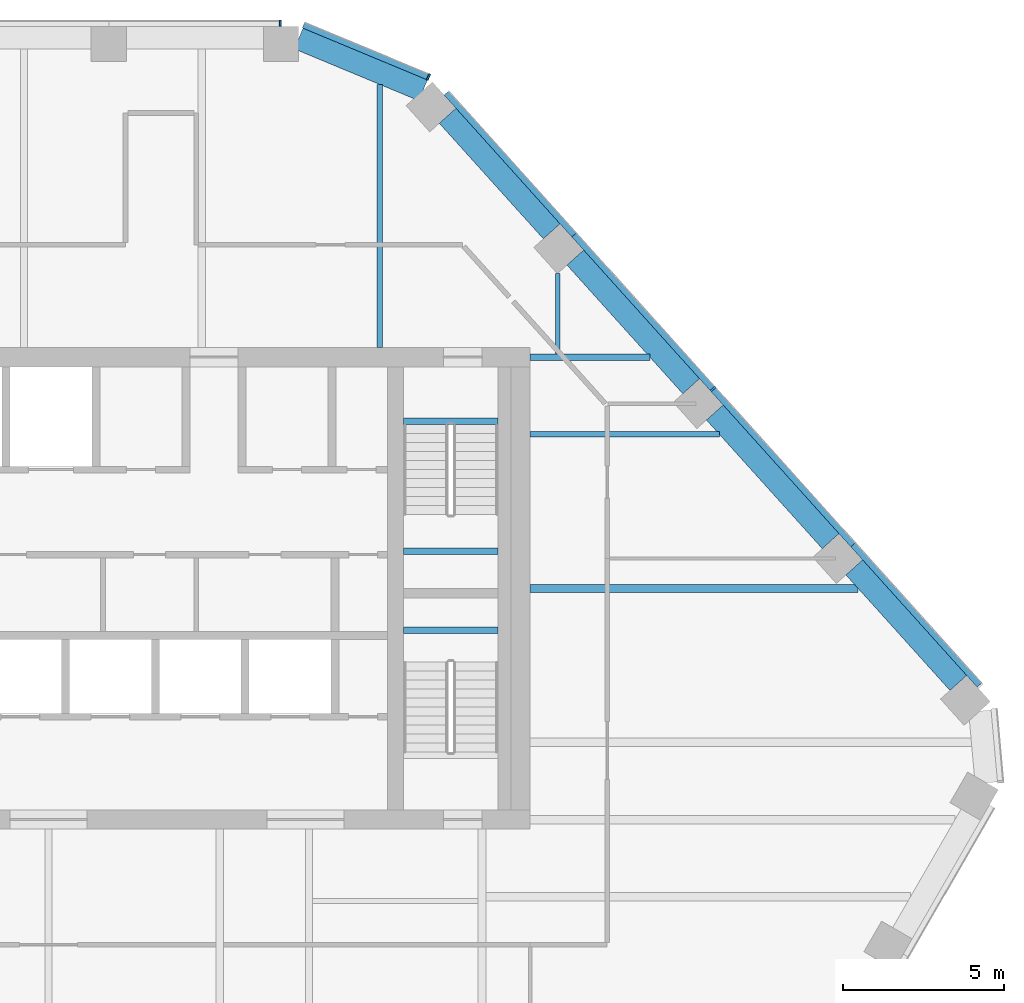
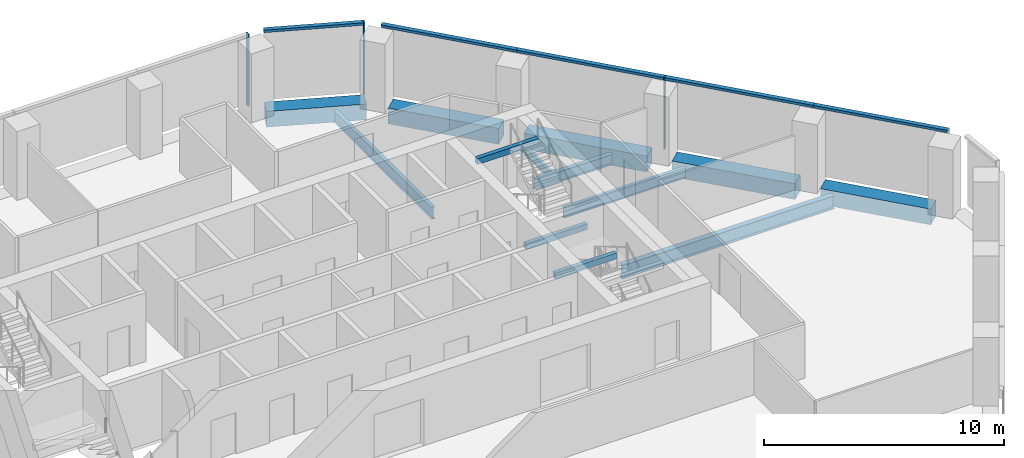
# One storey, part 7 of 15: 13 beams, 8 members, 3 elements without a shape of their own.
"""IFC4 building model written with IfcOpenShell, lengths in metres."""

from ifc_helpers import new_model, si_unit, direction, frame, origin, origin_2d, place, context, subcontext, project, spatial, rectangle, i_section, extrude, material, layer, layer_set, material_profile, profile_set, type_object, element, aggregate, save


model = new_model("IFC4")

# Units and contexts
model_context = context("Model", 3, precision=1e-05, world=origin(), true_north=direction((0.0, 1.0)))
body_context = subcontext(model_context, "Body", "Model", "MODEL_VIEW")
ifc_project = project(units=[si_unit("LENGTHUNIT", "METRE"), si_unit("AREAUNIT", "SQUARE_METRE"), si_unit("VOLUMEUNIT", "CUBIC_METRE"), si_unit("PLANEANGLEUNIT", "RADIAN"), si_unit("MASSUNIT", "GRAM", prefix="KILO")], contexts=[model_context])

# Site, building, storey
site_placement = place(None, origin())
site = spatial("IfcSite", under=ifc_project, at=site_placement, CompositionType="ELEMENT")
building_placement = place(site_placement, origin())
building = spatial("IfcBuilding", under=site, at=building_placement, Name="Isthmus Gate Tower", CompositionType="ELEMENT")
storey_placement = place(building_placement, frame((0.0, 0.0, 241.85009765625)))
storey = spatial("IfcBuildingStorey", under=building, at=storey_placement, Name="L61", CompositionType="ELEMENT", Elevation=241.85009765625)

# Curtain wall, member
ifc_material_1 = material(Name="Aluminium, pale champagne anodised", Category="aluminium")
ifc_layer = layer(ifc_material_1, 0.199951171875)
ifc_layer_set = layer_set([ifc_layer], Name="CW-1 UNITISED CURTAIN WALL 200 DEEP")
curtain_wall_type = type_object("IfcCurtainWallType", Name="CW-1 UNITISED CURTAIN WALL 200 DEEP", PredefinedType="NOTDEFINED", material=ifc_layer_set)
curtain_wall_1_placement = place(storey_placement, origin())
curtain_wall_1 = element("IfcCurtainWall", 1, at=curtain_wall_1_placement, inside=storey, type_object=curtain_wall_type, Name="CW-1 N L61", PredefinedType="NOTDEFINED")
ifc_material_2 = material(Name="Aluminium, pale champagne anodised", Category="aluminium")
ifc_material_profile_1 = material_profile(ifc_material_2, rectangle(XDim=0.06005859375, YDim=0.199951171875, at=origin_2d()), Name="60x200")
ifc_profile_set_1 = profile_set([ifc_material_profile_1], Name="Aluminium, pale champagne anodised")
member_type_1 = type_object("IfcMemberType", Name="CW-1 MULLION 60 X 200", PredefinedType="MULLION", material=ifc_profile_set_1)
member_1_placement = place(storey_placement, frame((7.211181640625, 25.10009765625, 0.0), z_axis=(0.0, 0.0, 1.0), x_axis=(-1.0, 0.0, 0.0)))
member_1 = element("IfcMember", 2, at=member_1_placement, type_object=member_type_1, Name="CW-1 mullion", PredefinedType="MULLION", context=body_context, shape_type="SweptSolid", body=[
    extrude(rectangle(XDim=0.06005859375, YDim=0.199951171875, at=origin_2d()), origin(), (0.0, 0.0, 1.0), 3.64990234375),
])
aggregate(curtain_wall_1, [member_1])

curtain_wall_2_placement = place(storey_placement, origin())
curtain_wall_2 = element("IfcCurtainWall", 3, at=curtain_wall_2_placement, inside=storey, type_object=curtain_wall_type, Name="CW-1 NE L61", PredefinedType="NOTDEFINED")
member_2_placement = place(storey_placement, frame((20.696533203125, 13.709228515625, 0.0), z_axis=(0.0, 0.0, 1.0), x_axis=(-0.669130606359, 0.743144825477, 0.0)))
member_2 = element("IfcMember", 4, at=member_2_placement, type_object=member_type_1, Name="CW-1 mullion", PredefinedType="MULLION", context=body_context, shape_type="SweptSolid", body=[
    extrude(rectangle(XDim=0.06005859375, YDim=0.199951171875, at=origin_2d()), origin(), (0.0, 0.0, 1.0), 3.64990234375),
])

curtain_wall_3_placement = place(storey_placement, origin())
curtain_wall_3 = element("IfcCurtainWall", 5, at=curtain_wall_3_placement, inside=storey, type_object=curtain_wall_type, Name="CW-1 NE-N L61", PredefinedType="NOTDEFINED")
member_3_placement = place(storey_placement, frame((11.83349609375, 23.427490234375, 0.0), z_axis=(0.0, 0.0, 1.0), x_axis=(-0.923353128387, 0.383951820282, 0.0)))
member_3 = element("IfcMember", 6, at=member_3_placement, type_object=member_type_1, Name="CW-1 mullion", PredefinedType="MULLION", context=body_context, shape_type="SweptSolid", body=[
    extrude(rectangle(XDim=0.06005859375, YDim=0.199951171875, at=origin_2d()), origin(), (0.0, 0.0, 1.0), 3.64990234375),
])

# Member
ifc_material_3 = material(Name="Aluminium, pale champagne anodised", Category="aluminium")
ifc_material_profile_2 = material_profile(ifc_material_3, rectangle(XDim=0.199951171875, YDim=0.1298828125, at=origin_2d()), Name="200x130")
ifc_profile_set_2 = profile_set([ifc_material_profile_2], Name="Aluminium, pale champagne anodised")
member_type_2 = type_object("IfcMemberType", Name="CW-1 TRANSOM 200 X 130", PredefinedType="USERDEFINED", material=ifc_profile_set_2)
member_4_placement = place(storey_placement, frame((28.99609375, 4.491455078125, 3.5849609375), z_axis=(-0.669134411332, 0.743141399447, 0.0), x_axis=(-0.743141399447, -0.669134411332, 0.0)))
member_4 = element("IfcMember", 7, at=member_4_placement, type_object=member_type_2, Name="CW-1 transom", ObjectType="TRANSOM", PredefinedType="USERDEFINED", context=body_context, shape_type="SweptSolid", body=[
    extrude(rectangle(XDim=0.199951171875, YDim=0.1298828125, at=origin_2d()), origin(), (0.0, 0.0, 1.0), 5.8818359375),
])

member_5_placement = place(storey_placement, frame((25.060302734375, 8.862548828125, 3.5849609375), z_axis=(-0.669112239491, 0.743161362668, 0.0), x_axis=(-0.743161362668, -0.669112239491, 0.0)))
member_5 = element("IfcMember", 8, at=member_5_placement, type_object=member_type_2, Name="CW-1 transom", ObjectType="TRANSOM", PredefinedType="USERDEFINED", context=body_context, shape_type="SweptSolid", body=[
    extrude(rectangle(XDim=0.199951171875, YDim=0.1298828125, at=origin_2d()), origin(), (0.0, 0.0, 1.0), 6.49169921875),
])

member_6_placement = place(storey_placement, frame((20.67626953125, 13.7314453125, 3.5849609375), z_axis=(-0.669128292476, 0.7431469089, 0.0), x_axis=(-0.7431469089, -0.669128292476, 0.0)))
member_6 = element("IfcMember", 9, at=member_6_placement, type_object=member_type_2, Name="CW-1 transom", ObjectType="TRANSOM", PredefinedType="USERDEFINED", context=body_context, shape_type="SweptSolid", body=[
    extrude(rectangle(XDim=0.199951171875, YDim=0.1298828125, at=origin_2d()), origin(), (0.0, 0.0, 1.0), 6.431884765625),
])

member_7_placement = place(storey_placement, frame((16.37255859375, 18.51123046875, 3.5849609375), z_axis=(-0.669116811031, 0.743157246615, 0.0), x_axis=(-0.743157246615, -0.669116811031, 0.0)))
member_7 = element("IfcMember", 10, at=member_7_placement, type_object=member_type_2, Name="CW-1 transom", ObjectType="TRANSOM", PredefinedType="USERDEFINED", context=body_context, shape_type="SweptSolid", body=[
    extrude(rectangle(XDim=0.199951171875, YDim=0.1298828125, at=origin_2d()), origin(), (0.0, 0.0, 1.0), 5.94189453125),
])

aggregate(curtain_wall_2, [member_4, member_5, member_2, member_6, member_7])

member_8_placement = place(storey_placement, frame((11.8056640625, 23.43896484375, 3.5849609375), z_axis=(-0.923358236369, 0.383939536033, 0.0), x_axis=(-0.383939536033, -0.923358236369, 0.0)))
member_8 = element("IfcMember", 11, at=member_8_placement, type_object=member_type_2, Name="CW-1 transom", ObjectType="TRANSOM", PredefinedType="USERDEFINED", context=body_context, shape_type="SweptSolid", body=[
    extrude(rectangle(XDim=0.199951171875, YDim=0.1298828125, at=origin_2d()), origin(), (0.0, 0.0, 1.0), 4.181640625),
])

aggregate(curtain_wall_3, [member_3, member_8])

# Beams
ifc_material_4 = material(Name="Concrete f'c 50 MPa", Category="concrete")
ifc_material_profile_3 = material_profile(ifc_material_4, rectangle(XDim=0.699951171875, YDim=0.800048828125, at=origin_2d()), Name="RC 700X800")
ifc_profile_set_3 = profile_set([ifc_material_profile_3], Name="Concrete f'c 50 MPa")
beam_type_1 = type_object("IfcBeamType", Name="RC SPANDREL 700 X 800", PredefinedType="SPANDREL", material=ifc_profile_set_3)
beam_1_placement = place(storey_placement, frame((7.791015625, 24.620849609375, -0.400146484375), z_axis=(0.923360646135, -0.383933740597, 0.0), x_axis=(0.383933740597, 0.923360646135, 0.0)))
element("IfcBeam", 12, at=beam_1_placement, inside=storey, type_object=beam_type_1, Name="str-spandrel-L61-00", PredefinedType="SPANDREL", context=body_context, shape_type="SweptSolid", body=[
    extrude(rectangle(XDim=0.699951171875, YDim=0.800048828125, at=origin_2d()), origin(), (0.0, 0.0, 1.0), 4.19677734375),
])
beam_2_placement = place(storey_placement, frame((12.43017578125, 22.21728515625, -0.400146484375), z_axis=(0.669129069044, -0.743146209679, 0.0), x_axis=(0.743146209679, 0.669129069044, 0.0)))
element("IfcBeam", 13, at=beam_2_placement, inside=storey, type_object=beam_type_1, Name="str-spandrel-L61-01", PredefinedType="SPANDREL", context=body_context, shape_type="SweptSolid", body=[
    extrude(rectangle(XDim=0.699951171875, YDim=0.800048828125, at=origin_2d()), origin(), (0.0, 0.0, 1.0), 4.842041015625),
])
beam_3_placement = place(storey_placement, frame((16.40625, 17.801513671875, -0.400146484375), z_axis=(0.669122314994, -0.743152290972, 0.0), x_axis=(0.743152290972, 0.669122314994, 0.0)))
element("IfcBeam", 14, at=beam_3_placement, inside=storey, type_object=beam_type_1, Name="str-spandrel-L61-02", PredefinedType="SPANDREL", context=body_context, shape_type="SweptSolid", body=[
    extrude(rectangle(XDim=0.699951171875, YDim=0.800048828125, at=origin_2d()), origin(), (0.0, 0.0, 1.0), 5.39208984375),
])
beam_4_placement = place(storey_placement, frame((20.75, 12.97705078125, -0.400146484375), z_axis=(0.669144830508, -0.743132017749, 0.0), x_axis=(0.743132017749, 0.669144830508, 0.0)))
element("IfcBeam", 15, at=beam_4_placement, inside=storey, type_object=beam_type_1, Name="str-spandrel-L61-03", PredefinedType="SPANDREL", context=body_context, shape_type="SweptSolid", body=[
    extrude(rectangle(XDim=0.699951171875, YDim=0.800048828125, at=origin_2d()), origin(), (0.0, 0.0, 1.0), 5.391845703125),
])
beam_5_placement = place(storey_placement, frame((25.093994140625, 8.152587890625, -0.400146484375), z_axis=(0.669154141686, -0.743123633499, 0.0), x_axis=(0.743123633499, 0.669154141686, 0.0)))
element("IfcBeam", 16, at=beam_5_placement, inside=storey, type_object=beam_type_1, Name="str-spandrel-L61-04", PredefinedType="SPANDREL", context=body_context, shape_type="SweptSolid", body=[
    extrude(rectangle(XDim=0.699951171875, YDim=0.800048828125, at=origin_2d()), origin(), (0.0, 0.0, 1.0), 4.842041015625),
])
ifc_material_5 = material(Name="Concrete f'c 40 MPa", Category="concrete")
ifc_material_profile_4 = material_profile(ifc_material_5, rectangle(XDim=0.199951171875, YDim=0.300048828125, at=origin_2d()), Name="STAIR LANDING BEAM RC 200 X 300")
ifc_profile_set_4 = profile_set([ifc_material_profile_4], Name="Concrete f'c 40 MPa")
beam_type_2 = type_object("IfcBeamType", Name="STAIR LANDING BEAM RC 200 X 300", PredefinedType="BEAM", material=ifc_profile_set_4)
for number, where, z_axis, x_axis, name in (
    (17, (11.050048828125, 8.64990234375, 1.474853515625), (1.0, 0.0, 0.0), (0.0, 1.0, 0.0), "L61 ST2 landing beam 1"),
    (18, (11.050048828125, 12.7001953125, 3.349853515625), (1.0, 0.0, 0.0), (0.0, 1.0, 0.0), "L61 ST2 floor-edge seat beam"),
    (19, (11.050048828125, 6.199951171875, 1.474853515625), (1.0, 0.0, 0.0), (0.0, 1.0, 0.0), "L61 ST8 landing beam 1"),
):
    element("IfcBeam", number, at=place(storey_placement, frame(where, z_axis=z_axis, x_axis=x_axis)), inside=storey, type_object=beam_type_2, Name=name, PredefinedType="BEAM", context=body_context, shape_type="SweptSolid", body=[
        extrude(rectangle(XDim=0.199951171875, YDim=0.300048828125, at=origin_2d()), origin(), (0.0, 0.0, 1.0), 2.949951171875),
    ])
ifc_material_6 = material(Name="Structural steel ASTM A992 Gr 50", Category="steel")
ifc_material_profile_5 = material_profile(ifc_material_6, i_section(OverallWidth=0.1396484375, OverallDepth=0.4033203125, WebThickness=0.00634765625, FlangeThickness=0.010986328125, at=origin_2d()), Name="W16X31")
ifc_profile_set_5 = profile_set([ifc_material_profile_5], Name="Structural steel ASTM A992 Gr 50")
beam_type_3 = type_object("IfcBeamType", Name="STEEL FLOOR BEAM W16X31", PredefinedType="JOIST", material=ifc_profile_set_5)
beam_6_placement = place(storey_placement, frame((15.862060546875, 14.8046875, -0.351806640625), z_axis=(0.0, 1.0, 0.0), x_axis=(-1.0, 0.0, 0.0)))
element("IfcBeam", 20, at=beam_6_placement, inside=storey, type_object=beam_type_3, Name="str-beam-L61-05-06", PredefinedType="JOIST", context=body_context, shape_type="SweptSolid", body=[
    extrude(i_section(OverallWidth=0.1396484375, OverallDepth=0.4033203125, WebThickness=0.00634765625, FlangeThickness=0.010986328125, at=origin_2d()), origin(), (0.0, 0.0, 1.0), 2.5068359375),
])
ifc_material_7 = material(Name="Structural steel ASTM A992 Gr 50", Category="steel")
ifc_material_profile_6 = material_profile(ifc_material_7, i_section(OverallWidth=0.1650390625, OverallDepth=0.52392578125, WebThickness=0.009521484375, FlangeThickness=0.010986328125, at=origin_2d()), Name="W21X44")
ifc_profile_set_6 = profile_set([ifc_material_profile_6], Name="Structural steel ASTM A992 Gr 50")
beam_type_4 = type_object("IfcBeamType", Name="STEEL FLOOR BEAM W21X44", PredefinedType="JOIST", material=ifc_profile_set_6)
beam_7_placement = place(storey_placement, frame((15.0, 12.300048828125, -0.412109375), z_axis=(1.0, 0.0, 0.0), x_axis=(0.0, 1.0, 0.0)))
element("IfcBeam", 21, at=beam_7_placement, inside=storey, type_object=beam_type_4, Name="str-beam-L61-13-02", PredefinedType="JOIST", context=body_context, shape_type="SweptSolid", body=[
    extrude(i_section(OverallWidth=0.1650390625, OverallDepth=0.52392578125, WebThickness=0.009521484375, FlangeThickness=0.010986328125, at=origin_2d()), origin(), (0.0, 0.0, 1.0), 5.888671875),
])
ifc_material_8 = material(Name="Structural steel ASTM A992 Gr 50", Category="steel")
ifc_material_profile_7 = material_profile(ifc_material_8, i_section(OverallWidth=0.177734375, OverallDepth=0.60009765625, WebThickness=0.009521484375, FlangeThickness=0.0126953125, at=origin_2d()), Name="W24X55")
ifc_profile_set_7 = profile_set([ifc_material_profile_7], Name="Structural steel ASTM A992 Gr 50")
beam_type_5 = type_object("IfcBeamType", Name="STEEL FLOOR BEAM W24X55", PredefinedType="JOIST", material=ifc_profile_set_7)
beam_8_placement = place(storey_placement, frame((10.3193359375, 15.0, -0.4501953125), z_axis=(0.0, 1.0, 0.0), x_axis=(-1.0, 0.0, 0.0)))
element("IfcBeam", 22, at=beam_8_placement, inside=storey, type_object=beam_type_5, Name="str-beam-L61-05-05", PredefinedType="JOIST", context=body_context, shape_type="SweptSolid", body=[
    extrude(i_section(OverallWidth=0.177734375, OverallDepth=0.60009765625, WebThickness=0.009521484375, FlangeThickness=0.0126953125, at=origin_2d()), origin(), (0.0, 0.0, 1.0), 8.190673828125),
])
ifc_material_9 = material(Name="Structural steel ASTM A992 Gr 50", Category="steel")
ifc_material_profile_8 = material_profile(ifc_material_9, i_section(OverallWidth=0.25390625, OverallDepth=0.679443359375, WebThickness=0.010986328125, FlangeThickness=0.015869140625, at=origin_2d()), Name="W27X84")
ifc_profile_set_8 = profile_set([ifc_material_profile_8], Name="Structural steel ASTM A992 Gr 50")
beam_type_6 = type_object("IfcBeamType", Name="STEEL FLOOR BEAM W27X84", PredefinedType="JOIST", material=ifc_profile_set_8)
beam_9_placement = place(storey_placement, frame((15.0, 7.5, -0.48974609375), z_axis=(1.0, 0.0, 0.0), x_axis=(0.0, 1.0, 0.0)))
element("IfcBeam", 23, at=beam_9_placement, inside=storey, type_object=beam_type_6, Name="str-beam-L61-13-01", PredefinedType="JOIST", context=body_context, shape_type="SweptSolid", body=[
    extrude(i_section(OverallWidth=0.25390625, OverallDepth=0.679443359375, WebThickness=0.010986328125, FlangeThickness=0.015869140625, at=origin_2d()), origin(), (0.0, 0.0, 1.0), 10.210693359375),
])
ifc_material_10 = material(Name="Structural steel ASTM A992 Gr 50", Category="steel")
ifc_material_profile_9 = material_profile(ifc_material_10, i_section(OverallWidth=0.20947265625, OverallDepth=0.533447265625, WebThickness=0.009521484375, FlangeThickness=0.015869140625, at=origin_2d()), Name="W21X62")
ifc_profile_set_9 = profile_set([ifc_material_profile_9], Name="Structural steel ASTM A992 Gr 50")
beam_type_7 = type_object("IfcBeamType", Name="STEEL GIRDER W21X62", PredefinedType="BEAM", material=ifc_profile_set_9)
beam_10_placement = place(storey_placement, frame((15.0, 14.699951171875, -0.416748046875), z_axis=(1.0, 0.0, 0.0), x_axis=(0.0, 1.0, 0.0)))
element("IfcBeam", 24, at=beam_10_placement, inside=storey, type_object=beam_type_7, Name="str-girder-L61-12", PredefinedType="BEAM", context=body_context, shape_type="SweptSolid", body=[
    extrude(i_section(OverallWidth=0.20947265625, OverallDepth=0.533447265625, WebThickness=0.009521484375, FlangeThickness=0.015869140625, at=origin_2d()), origin(), (0.0, 0.0, 1.0), 3.727783203125),
])

save(model, "model.ifc")
